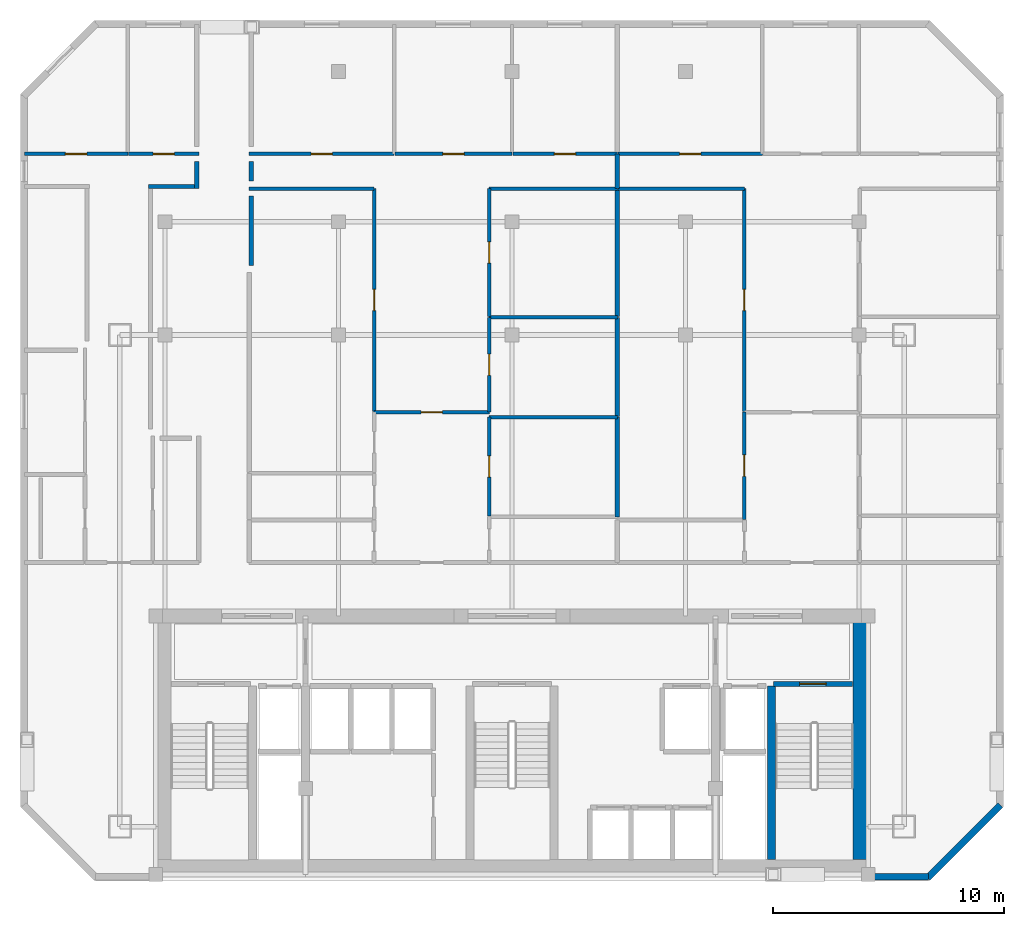
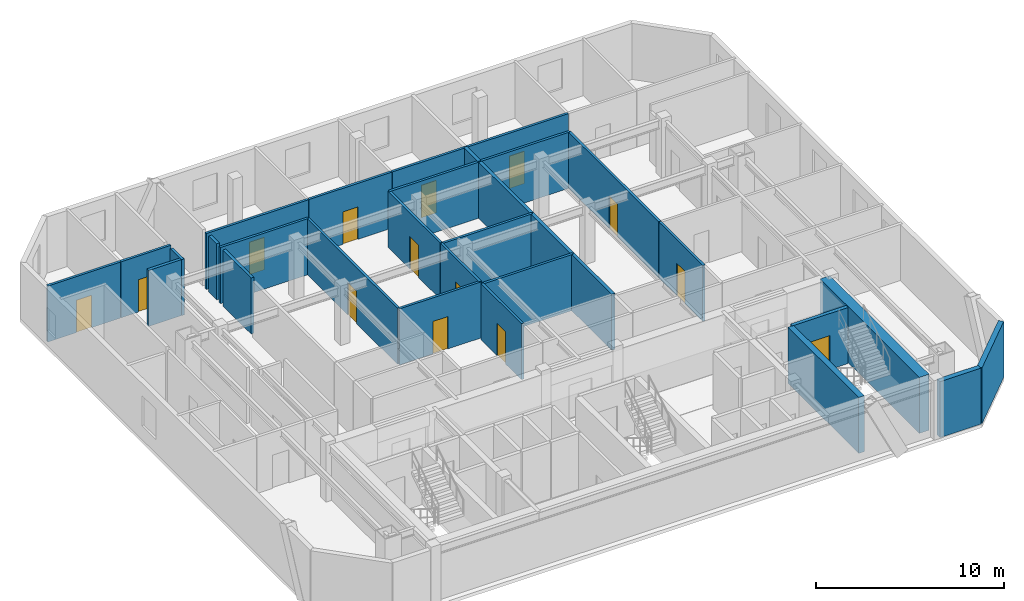
# One storey, part 4 of 7: 31 walls, 14 doors, 14 openings.
"""IFC4 building model written with IfcOpenShell, lengths in metres."""

from ifc_helpers import new_model, si_unit, direction, frame, frame_2d, origin, place, context, subcontext, project, spatial, rectangle, extrude, material, layer, layer_set, type_object, element, fill, save


model = new_model("IFC4")

# Units and contexts
model_context = context("Model", 3, precision=1e-05, world=origin(), true_north=direction((0.0, 1.0)))
body_context = subcontext(model_context, "Body", "Model", "MODEL_VIEW")
ifc_project = project(units=[si_unit("LENGTHUNIT", "METRE"), si_unit("AREAUNIT", "SQUARE_METRE"), si_unit("VOLUMEUNIT", "CUBIC_METRE"), si_unit("PLANEANGLEUNIT", "RADIAN"), si_unit("MASSUNIT", "GRAM", prefix="KILO")], contexts=[model_context])

# Site, building, storey
site_placement = place(None, origin())
site = spatial("IfcSite", under=ifc_project, at=site_placement, CompositionType="ELEMENT")
building_placement = place(site_placement, origin())
building = spatial("IfcBuilding", under=site, at=building_placement, Name="Ventersveld Concourse Tower", CompositionType="ELEMENT")
storey_placement = place(building_placement, frame((0.0, 0.0, 223.39990234375)))
storey = spatial("IfcBuildingStorey", under=building, at=storey_placement, Name="L55", CompositionType="ELEMENT", Elevation=223.39990234375)

# Walls
ifc_material_1 = material(Name="Concrete C50/60", Category="concrete")
ifc_layer_1 = layer(ifc_material_1, 0.35009765625)
ifc_layer_set_1 = layer_set([ifc_layer_1], Name="Concrete C50/60")
wall_type_1 = type_object("IfcWallType", Name="WL-CORE-350U", PredefinedType="SHEAR", material=ifc_layer_set_1)
wall_1_placement = place(storey_placement, frame((39.9599609375, 0.919921875, 0.0), z_axis=(0.0, 0.0, 1.0), x_axis=(0.0, 1.0, 0.0)))
element("IfcWall", 1, at=wall_1_placement, inside=storey, type_object=wall_type_1, Name="L55 Core Internal Shear Web W-ST2-W", PredefinedType="SHEAR", context=body_context, shape_type="SweptSolid", body=[
    extrude(rectangle(XDim=7.5, YDim=0.35009765625, at=frame_2d((3.75, 0.0))), origin(), (0.0, 0.0, 1.0), 3.630126953125),
])
ifc_layer_2 = layer(ifc_material_1, 0.60009765625)
ifc_layer_set_2 = layer_set([ifc_layer_2], Name="Concrete C50/60")
wall_type_2 = type_object("IfcWallType", Name="WL-CORE-600", PredefinedType="SHEAR", material=ifc_layer_set_2)
wall_2_placement = place(storey_placement, frame((43.800048828125, 0.919921875, 0.0), z_axis=(0.0, 0.0, 1.0), x_axis=(0.0, 1.0, 0.0)))
element("IfcWall", 2, at=wall_2_placement, inside=storey, type_object=wall_type_2, Name="L55 Rear Core East Shear Wall", PredefinedType="SHEAR", context=body_context, shape_type="SweptSolid", body=[
    extrude(rectangle(XDim=10.530029296875, YDim=0.60009765625, at=frame_2d((5.26513671875, 0.0))), origin(), (0.0, 0.0, 1.0), 3.630126953125),
])
ifc_material_2 = material(Name="Fire-rated autoclaved aerated masonry blockwork", Category="masonry")
ifc_layer_3 = layer(ifc_material_2, 0.179931640625)
ifc_layer_set_3 = layer_set([ifc_layer_3], Name="Fire-rated autoclaved aerated masonry blockwork")
wall_type_3 = type_object("IfcWallType", Name="WL-CORR-180", PredefinedType="PARTITIONING", material=ifc_layer_set_3)
wall_3_placement = place(storey_placement, frame((15.1201171875, 31.10498046875, 0.0), z_axis=(0.0, 0.0, 1.0), x_axis=(0.0, -1.0, 0.0)))
element("IfcWall", 3, at=wall_3_placement, inside=storey, type_object=wall_type_3, Name="L55 Room Enclosure Wall SP-L55-55NW-LIV", PredefinedType="PARTITIONING", context=body_context, shape_type="SweptSolid", body=[
    extrude(rectangle(XDim=1.179931640625, YDim=0.179931640625, at=frame_2d((0.58984375, 0.0))), origin(), (0.0, 0.0, 1.0), 3.630126953125),
])
wall_4_placement = place(storey_placement, frame((15.215087890625, 30.02001953125, 0.0), z_axis=(0.0, 0.0, 1.0), x_axis=(-1.0, 0.0, 0.0)))
element("IfcWall", 4, at=wall_4_placement, inside=storey, type_object=wall_type_3, Name="L55 Room Enclosure Wall SP-L55-55NW-LIV", PredefinedType="PARTITIONING", context=body_context, shape_type="SweptSolid", body=[
    extrude(rectangle(XDim=2.18994140625, YDim=0.179931640625, at=frame_2d((1.094970703125, 0.0))), origin(), (0.0, 0.0, 1.0), 3.630126953125),
])
wall_5_placement = place(storey_placement, frame((17.47998046875, 30.2548828125, 0.0), z_axis=(0.0, 0.0, 1.0), x_axis=(0.0, 1.0, 0.0)))
element("IfcWall", 5, at=wall_5_placement, inside=storey, type_object=wall_type_3, Name="L55 Room Enclosure Wall SP-L55-55N1-LIV", PredefinedType="PARTITIONING", context=body_context, shape_type="SweptSolid", body=[
    extrude(rectangle(XDim=0.85009765625, YDim=0.179931640625, at=frame_2d((0.425048828125, 0.0))), origin(), (0.0, 0.0, 1.0), 3.630126953125),
])
wall_6_placement = place(storey_placement, frame((17.47998046875, 26.60986328125, 0.0), z_axis=(0.0, 0.0, 1.0), x_axis=(0.0, 1.0, 0.0)))
element("IfcWall", 6, at=wall_6_placement, inside=storey, type_object=wall_type_3, Name="L55 Room Enclosure Wall SP-L55-55N1-DENL", PredefinedType="PARTITIONING", context=body_context, shape_type="SweptSolid", body=[
    extrude(rectangle(XDim=2.9951171875, YDim=0.179931640625, at=frame_2d((1.49755859375, 0.0))), origin(), (0.0, 0.0, 1.0), 3.630126953125),
])
ifc_layer_4 = layer(ifc_material_2, 0.199951171875)
ifc_layer_set_4 = layer_set([ifc_layer_4], Name="Fire-rated autoclaved aerated masonry blockwork")
wall_type_4 = type_object("IfcWallType", Name="WL-DEMISE-200", PredefinedType="PARTITIONING", material=ifc_layer_set_4)
wall_7_placement = place(storey_placement, frame((33.300048828125, 29.925048828125, 0.0), z_axis=(0.0, 0.0, 1.0), x_axis=(0.0, 1.0, 0.0)))
element("IfcWall", 7, at=wall_7_placement, inside=storey, type_object=wall_type_4, Name="L55 Interior Partition SP-L55-55N1-LIV-SP-L55-55N2-LIV", PredefinedType="PARTITIONING", context=body_context, shape_type="SweptSolid", body=[
    extrude(rectangle(XDim=1.510009765625, YDim=0.199951171875, at=frame_2d((0.7548828125, 0.0))), origin(), (0.0, 0.0, 1.0), 3.630126953125),
])
wall_8_placement = place(storey_placement, frame((33.300048828125, 15.7392578125, 0.0), z_axis=(0.0, 0.0, 1.0), x_axis=(0.0, 1.0, 0.0)))
element("IfcWall", 8, at=wall_8_placement, inside=storey, type_object=wall_type_4, Name="L55 Interior Partition SP-L55-55N1-DENR-SP-L55-55N2-DENL", PredefinedType="PARTITIONING", context=body_context, shape_type="SweptSolid", body=[
    extrude(rectangle(XDim=4.319091796875, YDim=0.199951171875, at=frame_2d((2.15966796875, 0.0))), origin(), (0.0, 0.0, 1.0), 3.630126953125),
])
wall_9_placement = place(storey_placement, frame((33.300048828125, 20.08837890625, 0.0), z_axis=(0.0, 0.0, 1.0), x_axis=(0.0, 1.0, 0.0)))
element("IfcWall", 9, at=wall_9_placement, inside=storey, type_object=wall_type_4, Name="L55 Interior Partition SP-L55-55N1-DENS-SP-L55-55N2-DENL", PredefinedType="PARTITIONING", context=body_context, shape_type="SweptSolid", body=[
    extrude(rectangle(XDim=4.27880859375, YDim=0.199951171875, at=frame_2d((2.139404296875, 0.0))), origin(), (0.0, 0.0, 1.0), 3.630126953125),
])
wall_10_placement = place(storey_placement, frame((33.300048828125, 24.397216796875, 0.0), z_axis=(0.0, 0.0, 1.0), x_axis=(0.0, 1.0, 0.0)))
element("IfcWall", 10, at=wall_10_placement, inside=storey, type_object=wall_type_4, Name="L55 Interior Partition SP-L55-55N1-DENS2-SP-L55-55N2-DENL", PredefinedType="PARTITIONING", context=body_context, shape_type="SweptSolid", body=[
    extrude(rectangle(XDim=5.497802734375, YDim=0.199951171875, at=frame_2d((2.7490234375, 0.0))), origin(), (0.0, 0.0, 1.0), 3.630126953125),
])

# Wall, opening, door
ifc_layer_5 = layer(ifc_material_2, 0.219970703125)
ifc_layer_set_5 = layer_set([ifc_layer_5], Name="Fire-rated autoclaved aerated masonry blockwork")
wall_type_5 = type_object("IfcWallType", Name="WL-HOIST-220", PredefinedType="SOLIDWALL", material=ifc_layer_set_5)
wall_11_placement = place(storey_placement, frame((40.06005859375, 8.52001953125, 0.0), z_axis=(0.0, 0.0, 1.0), x_axis=(1.0, 0.0, 0.0)))
wall_11 = element("IfcWall", 11, at=wall_11_placement, inside=storey, type_object=wall_type_5, Name="L55 Escape Stair ST02 Fire Wall", PredefinedType="SOLIDWALL", context=body_context, shape_type="SweptSolid", body=[
    extrude(rectangle(XDim=3.39990234375, YDim=0.219970703125, at=frame_2d((1.699951171875, 0.0))), origin(), (0.0, 0.0, 1.0), 3.630126953125),
])
opening_1_placement = place(wall_11_placement, frame((1.125, 0.0, 0.0)))
opening_1 = element("IfcOpeningElement", 12, at=opening_1_placement, cuts=wall_11, Name="Opening FD1", PredefinedType="OPENING", context=body_context, shape_type="SweptSolid", body=[
    extrude(rectangle(XDim=1.14990234375, YDim=2.199951171875, at=frame_2d((0.574951171875, 1.10009765625))), frame((0.0, 0.1201171875, 0.0), z_axis=(0.0, -1.0, 0.0), x_axis=(1.0, 0.0, 0.0)), (0.0, 0.0, 1.0), 0.239990234375),
])
ifc_material_3 = material(Name="Galvanised painted steel", Category="steel")
door_type_1 = type_object("IfcDoorType", Name="DR-STAIR-115", OperationType="NOTDEFINED", PredefinedType="DOOR", material=ifc_material_3)
door_1_placement = place(opening_1_placement, origin())
door_1 = element("IfcDoor", 13, at=door_1_placement, inside=storey, type_object=door_type_1, Name="L55 Escape Stair Door ST02 (SD-L55-2655)", OperationType="SINGLE_SWING_RIGHT", OverallHeight=2.199951171875, OverallWidth=1.14990234375, PredefinedType="DOOR", context=body_context, shape_type="SweptSolid", body=[
    extrude(rectangle(XDim=1.14990234375, YDim=2.199951171875, at=frame_2d((0.574951171875, 1.10009765625))), frame((0.0, 0.02490234375, 0.0), z_axis=(0.0, -1.0, 0.0), x_axis=(1.0, 0.0, 0.0)), (0.0, 0.0, 1.0), 0.050048828125),
])
fill(opening_1, door_1)

ifc_material_4 = material(Name="Autoclaved aerated masonry blockwork", Category="masonry")
ifc_layer_6 = layer(ifc_material_4, 0.14990234375)
ifc_layer_set_6 = layer_set([ifc_layer_6], Name="Autoclaved aerated masonry blockwork")
wall_type_6 = type_object("IfcWallType", Name="WL-INT-150", PredefinedType="PARTITIONING", material=ifc_layer_set_6)
wall_12_placement = place(storey_placement, frame((7.672607421875, 31.429931640625, 0.0), z_axis=(0.0, 0.0, 1.0), x_axis=(1.0, 0.0, 0.0)))
wall_12 = element("IfcWall", 14, at=wall_12_placement, inside=storey, type_object=wall_type_6, Name="L55 Interior Partition SP-L55-55NW-LIV-SP-L55-55NW-BR1", PredefinedType="PARTITIONING", context=body_context, shape_type="SweptSolid", body=[
    extrude(rectangle(XDim=4.46826171875, YDim=0.14990234375, at=frame_2d((2.234130859375, 0.0))), origin(), (0.0, 0.0, 1.0), 3.630126953125),
])
opening_2_placement = place(wall_12_placement, frame((1.774169921875, 0.0, 0.0)))
opening_2 = element("IfcOpeningElement", 15, at=opening_2_placement, cuts=wall_12, Name="Opening ID1", PredefinedType="OPENING", context=body_context, shape_type="SweptSolid", body=[
    extrude(rectangle(XDim=0.919921875, YDim=2.10009765625, at=frame_2d((0.4599609375, 1.050048828125))), frame((0.0, 0.0849609375, 0.0), z_axis=(0.0, -1.0, 0.0), x_axis=(1.0, 0.0, 0.0)), (0.0, 0.0, 1.0), 0.169921875),
])
ifc_material_5 = material(Name="Solid-core hardwood veneer timber", Category="wood")
door_type_2 = type_object("IfcDoorType", Name="DR-ROOM-092", OperationType="NOTDEFINED", PredefinedType="DOOR", material=ifc_material_5)
door_2_placement = place(opening_2_placement, origin())
door_2 = element("IfcDoor", 16, at=door_2_placement, inside=storey, type_object=door_type_2, Name="L55 Interior Door SP-L55-55NW-LIV to SP-L55-55NW-BR1 (D-L55-2669)", OperationType="SINGLE_SWING_LEFT", OverallHeight=2.10009765625, OverallWidth=0.919921875, PredefinedType="DOOR", context=body_context, shape_type="SweptSolid", body=[
    extrude(rectangle(XDim=0.919921875, YDim=2.10009765625, at=frame_2d((0.4599609375, 1.050048828125))), frame((0.0, 0.02490234375, 0.0), z_axis=(0.0, -1.0, 0.0), x_axis=(1.0, 0.0, 0.0)), (0.0, 0.0, 1.0), 0.050048828125),
])
fill(opening_2, door_2)

wall_13_placement = place(storey_placement, frame((12.1708984375, 31.429931640625, 0.0), z_axis=(0.0, 0.0, 1.0), x_axis=(1.0, 0.0, 0.0)))
wall_13 = element("IfcWall", 17, at=wall_13_placement, inside=storey, type_object=wall_type_6, Name="L55 Interior Partition SP-L55-55NW-LIV-SP-L55-55NW-BR2", PredefinedType="PARTITIONING", context=body_context, shape_type="SweptSolid", body=[
    extrude(rectangle(XDim=3.044189453125, YDim=0.14990234375, at=frame_2d((1.52197265625, 0.0))), origin(), (0.0, 0.0, 1.0), 3.630126953125),
])
opening_3_placement = place(wall_13_placement, frame((1.06201171875, 0.0, 0.0)))
opening_3 = element("IfcOpeningElement", 18, at=opening_3_placement, cuts=wall_13, Name="Opening ID1", PredefinedType="OPENING", context=body_context, shape_type="SweptSolid", body=[
    extrude(rectangle(XDim=0.919921875, YDim=2.10009765625, at=frame_2d((0.4599609375, 1.050048828125))), frame((0.0, 0.0849609375, 0.0), z_axis=(0.0, -1.0, 0.0), x_axis=(1.0, 0.0, 0.0)), (0.0, 0.0, 1.0), 0.169921875),
])
door_3_placement = place(opening_3_placement, origin())
door_3 = element("IfcDoor", 19, at=door_3_placement, inside=storey, type_object=door_type_2, Name="L55 Interior Door SP-L55-55NW-LIV to SP-L55-55NW-BR2 (D-L55-2670)", OperationType="SINGLE_SWING_RIGHT", OverallHeight=2.10009765625, OverallWidth=0.919921875, PredefinedType="DOOR", context=body_context, shape_type="SweptSolid", body=[
    extrude(rectangle(XDim=0.919921875, YDim=2.10009765625, at=frame_2d((0.4599609375, 1.050048828125))), frame((0.0, 0.02490234375, 0.0), z_axis=(0.0, -1.0, 0.0), x_axis=(1.0, 0.0, 0.0)), (0.0, 0.0, 1.0), 0.050048828125),
])
fill(opening_3, door_3)

wall_14_placement = place(storey_placement, frame((22.78466796875, 20.26904296875, 0.0), z_axis=(0.0, 0.0, 1.0), x_axis=(1.0, 0.0, 0.0)))
wall_14 = element("IfcWall", 20, at=wall_14_placement, inside=storey, type_object=wall_type_6, Name="L55 Interior Partition SP-L55-55N1-FOY-SP-L55-55N1-LIV", PredefinedType="PARTITIONING", context=body_context, shape_type="SweptSolid", body=[
    extrude(rectangle(XDim=4.989990234375, YDim=0.14990234375, at=frame_2d((2.4951171875, 0.0))), origin(), (0.0, 0.0, 1.0), 3.630126953125),
])
opening_4_placement = place(wall_14_placement, frame((2.034912109375, 0.0, 0.0)))
opening_4 = element("IfcOpeningElement", 21, at=opening_4_placement, cuts=wall_14, Name="Opening ID1", PredefinedType="OPENING", context=body_context, shape_type="SweptSolid", body=[
    extrude(rectangle(XDim=0.919921875, YDim=2.10009765625, at=frame_2d((0.4599609375, 1.050048828125))), frame((0.0, 0.0849609375, 0.0), z_axis=(0.0, -1.0, 0.0), x_axis=(1.0, 0.0, 0.0)), (0.0, 0.0, 1.0), 0.169921875),
])
door_4_placement = place(opening_4_placement, origin())
door_4 = element("IfcDoor", 22, at=door_4_placement, inside=storey, type_object=door_type_2, Name="L55 Interior Door SP-L55-55N1-FOY to SP-L55-55N1-LIV (D-L55-2671)", OperationType="SINGLE_SWING_LEFT", OverallHeight=2.10009765625, OverallWidth=0.919921875, PredefinedType="DOOR", context=body_context, shape_type="SweptSolid", body=[
    extrude(rectangle(XDim=0.919921875, YDim=2.10009765625, at=frame_2d((0.4599609375, 1.050048828125))), frame((0.0, 0.02490234375, 0.0), z_axis=(0.0, -1.0, 0.0), x_axis=(1.0, 0.0, 0.0)), (0.0, 0.0, 1.0), 0.050048828125),
])
fill(opening_4, door_4)

wall_15_placement = place(storey_placement, frame((27.76953125, 15.779296875, 0.0), z_axis=(0.0, 0.0, 1.0), x_axis=(0.0, 1.0, 0.0)))
wall_15 = element("IfcWall", 23, at=wall_15_placement, inside=storey, type_object=wall_type_6, Name="L55 Interior Partition SP-L55-55N1-FOY-SP-L55-55N1-DENR", PredefinedType="PARTITIONING", context=body_context, shape_type="SweptSolid", body=[
    extrude(rectangle(XDim=4.279052734375, YDim=0.14990234375, at=frame_2d((2.1396484375, 0.0))), origin(), (0.0, 0.0, 1.0), 3.630126953125),
])
opening_5_placement = place(wall_15_placement, frame((1.679443359375, 0.0, 0.0)))
opening_5 = element("IfcOpeningElement", 24, at=opening_5_placement, cuts=wall_15, Name="Opening ID1", PredefinedType="OPENING", context=body_context, shape_type="SweptSolid", body=[
    extrude(rectangle(XDim=0.919921875, YDim=2.10009765625, at=frame_2d((0.4599609375, 1.050048828125))), frame((0.0, 0.0849609375, 0.0), z_axis=(0.0, -1.0, 0.0), x_axis=(1.0, 0.0, 0.0)), (0.0, 0.0, 1.0), 0.169921875),
])
door_5_placement = place(opening_5_placement, origin())
door_5 = element("IfcDoor", 25, at=door_5_placement, inside=storey, type_object=door_type_2, Name="L55 Interior Door SP-L55-55N1-FOY to SP-L55-55N1-DENR (D-L55-2676)", OperationType="SINGLE_SWING_RIGHT", OverallHeight=2.10009765625, OverallWidth=0.919921875, PredefinedType="DOOR", context=body_context, shape_type="SweptSolid", body=[
    extrude(rectangle(XDim=0.919921875, YDim=2.10009765625, at=frame_2d((0.4599609375, 1.050048828125))), frame((0.0, 0.02490234375, 0.0), z_axis=(0.0, -1.0, 0.0), x_axis=(1.0, 0.0, 0.0)), (0.0, 0.0, 1.0), 0.050048828125),
])
fill(opening_5, door_5)

wall_16_placement = place(storey_placement, frame((22.78955078125, 20.30419921875, 0.0), z_axis=(0.0, 0.0, 1.0), x_axis=(0.0, 1.0, 0.0)))
wall_16 = element("IfcWall", 26, at=wall_16_placement, inside=storey, type_object=wall_type_6, Name="L55 Interior Partition SP-L55-55N1-LIV-SP-L55-55N1-DENL", PredefinedType="PARTITIONING", context=body_context, shape_type="SweptSolid", body=[
    extrude(rectangle(XDim=9.630859375, YDim=0.14990234375, at=frame_2d((4.8154296875, 0.0))), origin(), (0.0, 0.0, 1.0), 3.630126953125),
])
opening_6_placement = place(wall_16_placement, frame((4.35546875, 0.0, 0.0)))
opening_6 = element("IfcOpeningElement", 27, at=opening_6_placement, cuts=wall_16, Name="Opening ID1", PredefinedType="OPENING", context=body_context, shape_type="SweptSolid", body=[
    extrude(rectangle(XDim=0.919921875, YDim=2.10009765625, at=frame_2d((0.4599609375, 1.050048828125))), frame((0.0, 0.0849609375, 0.0), z_axis=(0.0, -1.0, 0.0), x_axis=(1.0, 0.0, 0.0)), (0.0, 0.0, 1.0), 0.169921875),
])
door_6_placement = place(opening_6_placement, origin())
door_6 = element("IfcDoor", 28, at=door_6_placement, inside=storey, type_object=door_type_2, Name="L55 Interior Door SP-L55-55N1-LIV to SP-L55-55N1-DENL (D-L55-2677)", OperationType="SINGLE_SWING_LEFT", OverallHeight=2.10009765625, OverallWidth=0.919921875, PredefinedType="DOOR", context=body_context, shape_type="SweptSolid", body=[
    extrude(rectangle(XDim=0.919921875, YDim=2.10009765625, at=frame_2d((0.4599609375, 1.050048828125))), frame((0.0, 0.02490234375, 0.0), z_axis=(0.0, -1.0, 0.0), x_axis=(1.0, 0.0, 0.0)), (0.0, 0.0, 1.0), 0.050048828125),
])
fill(opening_6, door_6)

# Wall
wall_17_placement = place(storey_placement, frame((17.385009765625, 29.929931640625, 0.0), z_axis=(0.0, 0.0, 1.0), x_axis=(1.0, 0.0, 0.0)))
element("IfcWall", 29, at=wall_17_placement, inside=storey, type_object=wall_type_6, Name="L55 Interior Partition SP-L55-55N1-LIV-SP-L55-55N1-DENL", PredefinedType="PARTITIONING", context=body_context, shape_type="SweptSolid", body=[
    extrude(rectangle(XDim=5.40966796875, YDim=0.14990234375, at=frame_2d((2.704833984375, 0.0))), origin(), (0.0, 0.0, 1.0), 3.630126953125),
])

# Wall, opening, door
wall_18_placement = place(storey_placement, frame((27.76953125, 20.26416015625, 0.0), z_axis=(0.0, 0.0, 1.0), x_axis=(0.0, 1.0, 0.0)))
wall_18 = element("IfcWall", 30, at=wall_18_placement, inside=storey, type_object=wall_type_6, Name="L55 Interior Partition SP-L55-55N1-LIV-SP-L55-55N1-DENS", PredefinedType="PARTITIONING", context=body_context, shape_type="SweptSolid", body=[
    extrude(rectangle(XDim=4.10302734375, YDim=0.14990234375, at=frame_2d((2.051513671875, 0.0))), origin(), (0.0, 0.0, 1.0), 3.630126953125),
])
opening_7_placement = place(wall_18_placement, frame((1.591552734375, 0.0, 0.0)))
opening_7 = element("IfcOpeningElement", 31, at=opening_7_placement, cuts=wall_18, Name="Opening ID1", PredefinedType="OPENING", context=body_context, shape_type="SweptSolid", body=[
    extrude(rectangle(XDim=0.919921875, YDim=2.10009765625, at=frame_2d((0.4599609375, 1.050048828125))), frame((0.0, 0.0849609375, 0.0), z_axis=(0.0, -1.0, 0.0), x_axis=(1.0, 0.0, 0.0)), (0.0, 0.0, 1.0), 0.169921875),
])
door_7_placement = place(opening_7_placement, origin())
door_7 = element("IfcDoor", 32, at=door_7_placement, inside=storey, type_object=door_type_2, Name="L55 Interior Door SP-L55-55N1-LIV to SP-L55-55N1-DENS (D-L55-2678)", OperationType="SINGLE_SWING_RIGHT", OverallHeight=2.10009765625, OverallWidth=0.919921875, PredefinedType="DOOR", context=body_context, shape_type="SweptSolid", body=[
    extrude(rectangle(XDim=0.919921875, YDim=2.10009765625, at=frame_2d((0.4599609375, 1.050048828125))), frame((0.0, 0.02490234375, 0.0), z_axis=(0.0, -1.0, 0.0), x_axis=(1.0, 0.0, 0.0)), (0.0, 0.0, 1.0), 0.050048828125),
])
fill(opening_7, door_7)

wall_19_placement = place(storey_placement, frame((27.76953125, 24.397216796875, 0.0), z_axis=(0.0, 0.0, 1.0), x_axis=(0.0, 1.0, 0.0)))
wall_19 = element("IfcWall", 33, at=wall_19_placement, inside=storey, type_object=wall_type_6, Name="L55 Interior Partition SP-L55-55N1-LIV-SP-L55-55N1-DENS2", PredefinedType="PARTITIONING", context=body_context, shape_type="SweptSolid", body=[
    extrude(rectangle(XDim=5.537841796875, YDim=0.14990234375, at=frame_2d((2.76904296875, 0.0))), origin(), (0.0, 0.0, 1.0), 3.630126953125),
])
opening_8_placement = place(wall_19_placement, frame((2.308837890625, 0.0, 0.0)))
opening_8 = element("IfcOpeningElement", 34, at=opening_8_placement, cuts=wall_19, Name="Opening ID1", PredefinedType="OPENING", context=body_context, shape_type="SweptSolid", body=[
    extrude(rectangle(XDim=0.919921875, YDim=2.10009765625, at=frame_2d((0.4599609375, 1.050048828125))), frame((0.0, 0.0849609375, 0.0), z_axis=(0.0, -1.0, 0.0), x_axis=(1.0, 0.0, 0.0)), (0.0, 0.0, 1.0), 0.169921875),
])
door_8_placement = place(opening_8_placement, origin())
door_8 = element("IfcDoor", 35, at=door_8_placement, inside=storey, type_object=door_type_2, Name="L55 Interior Door SP-L55-55N1-LIV to SP-L55-55N1-DENS2 (D-L55-2679)", OperationType="SINGLE_SWING_LEFT", OverallHeight=2.10009765625, OverallWidth=0.919921875, PredefinedType="DOOR", context=body_context, shape_type="SweptSolid", body=[
    extrude(rectangle(XDim=0.919921875, YDim=2.10009765625, at=frame_2d((0.4599609375, 1.050048828125))), frame((0.0, 0.02490234375, 0.0), z_axis=(0.0, -1.0, 0.0), x_axis=(1.0, 0.0, 0.0)), (0.0, 0.0, 1.0), 0.050048828125),
])
fill(opening_8, door_8)

# Wall
wall_20_placement = place(storey_placement, frame((27.7646484375, 29.929931640625, 0.0), z_axis=(0.0, 0.0, 1.0), x_axis=(1.0, 0.0, 0.0)))
element("IfcWall", 36, at=wall_20_placement, inside=storey, type_object=wall_type_6, Name="L55 Interior Partition SP-L55-55N1-LIV-SP-L55-55N1-DENS2", PredefinedType="PARTITIONING", context=body_context, shape_type="SweptSolid", body=[
    extrude(rectangle(XDim=5.540283203125, YDim=0.14990234375, at=frame_2d((2.77001953125, 0.0))), origin(), (0.0, 0.0, 1.0), 3.630126953125),
])

# Wall, opening, door
wall_21_placement = place(storey_placement, frame((17.385009765625, 31.429931640625, 0.0), z_axis=(0.0, 0.0, 1.0), x_axis=(1.0, 0.0, 0.0)))
wall_21 = element("IfcWall", 37, at=wall_21_placement, inside=storey, type_object=wall_type_6, Name="L55 Interior Partition SP-L55-55N1-LIV-SP-L55-55N1-BR1", PredefinedType="PARTITIONING", context=body_context, shape_type="SweptSolid", body=[
    extrude(rectangle(XDim=6.27392578125, YDim=0.14990234375, at=frame_2d((3.136962890625, 0.0))), origin(), (0.0, 0.0, 1.0), 3.630126953125),
])
opening_9_placement = place(wall_21_placement, frame((2.677001953125, 0.0, 0.0)))
opening_9 = element("IfcOpeningElement", 38, at=opening_9_placement, cuts=wall_21, Name="Opening ID1", PredefinedType="OPENING", context=body_context, shape_type="SweptSolid", body=[
    extrude(rectangle(XDim=0.919921875, YDim=2.10009765625, at=frame_2d((0.4599609375, 1.050048828125))), frame((0.0, 0.0849609375, 0.0), z_axis=(0.0, -1.0, 0.0), x_axis=(1.0, 0.0, 0.0)), (0.0, 0.0, 1.0), 0.169921875),
])
door_9_placement = place(opening_9_placement, origin())
door_9 = element("IfcDoor", 39, at=door_9_placement, inside=storey, type_object=door_type_2, Name="L55 Interior Door SP-L55-55N1-LIV to SP-L55-55N1-BR1 (D-L55-2680)", OperationType="SINGLE_SWING_RIGHT", OverallHeight=2.10009765625, OverallWidth=0.919921875, PredefinedType="DOOR", context=body_context, shape_type="SweptSolid", body=[
    extrude(rectangle(XDim=0.919921875, YDim=2.10009765625, at=frame_2d((0.4599609375, 1.050048828125))), frame((0.0, 0.02490234375, 0.0), z_axis=(0.0, -1.0, 0.0), x_axis=(1.0, 0.0, 0.0)), (0.0, 0.0, 1.0), 0.050048828125),
])
fill(opening_9, door_9)

wall_22_placement = place(storey_placement, frame((23.68896484375, 31.429931640625, 0.0), z_axis=(0.0, 0.0, 1.0), x_axis=(1.0, 0.0, 0.0)))
wall_22 = element("IfcWall", 40, at=wall_22_placement, inside=storey, type_object=wall_type_6, Name="L55 Interior Partition SP-L55-55N1-LIV-SP-L55-55N1-BR2", PredefinedType="PARTITIONING", context=body_context, shape_type="SweptSolid", body=[
    extrude(rectangle(XDim=5.06591796875, YDim=0.14990234375, at=frame_2d((2.532958984375, 0.0))), origin(), (0.0, 0.0, 1.0), 3.630126953125),
])
opening_10_placement = place(wall_22_placement, frame((2.072998046875, 0.0, 0.0)))
opening_10 = element("IfcOpeningElement", 41, at=opening_10_placement, cuts=wall_22, Name="Opening ID1", PredefinedType="OPENING", context=body_context, shape_type="SweptSolid", body=[
    extrude(rectangle(XDim=0.919921875, YDim=2.10009765625, at=frame_2d((0.4599609375, 1.050048828125))), frame((0.0, 0.0849609375, 0.0), z_axis=(0.0, -1.0, 0.0), x_axis=(1.0, 0.0, 0.0)), (0.0, 0.0, 1.0), 0.169921875),
])
door_10_placement = place(opening_10_placement, origin())
door_10 = element("IfcDoor", 42, at=door_10_placement, inside=storey, type_object=door_type_2, Name="L55 Interior Door SP-L55-55N1-LIV to SP-L55-55N1-BR2 (D-L55-2681)", OperationType="SINGLE_SWING_LEFT", OverallHeight=2.10009765625, OverallWidth=0.919921875, PredefinedType="DOOR", context=body_context, shape_type="SweptSolid", body=[
    extrude(rectangle(XDim=0.919921875, YDim=2.10009765625, at=frame_2d((0.4599609375, 1.050048828125))), frame((0.0, 0.02490234375, 0.0), z_axis=(0.0, -1.0, 0.0), x_axis=(1.0, 0.0, 0.0)), (0.0, 0.0, 1.0), 0.050048828125),
])
fill(opening_10, door_10)

wall_23_placement = place(storey_placement, frame((28.784912109375, 31.429931640625, 0.0), z_axis=(0.0, 0.0, 1.0), x_axis=(1.0, 0.0, 0.0)))
wall_23 = element("IfcWall", 43, at=wall_23_placement, inside=storey, type_object=wall_type_6, Name="L55 Interior Partition SP-L55-55N1-LIV-SP-L55-55N1-BR3", PredefinedType="PARTITIONING", context=body_context, shape_type="SweptSolid", body=[
    extrude(rectangle(XDim=4.52001953125, YDim=0.14990234375, at=frame_2d((2.260009765625, 0.0))), origin(), (0.0, 0.0, 1.0), 3.630126953125),
])
opening_11_placement = place(wall_23_placement, frame((1.800048828125, 0.0, 0.0)))
opening_11 = element("IfcOpeningElement", 44, at=opening_11_placement, cuts=wall_23, Name="Opening ID1", PredefinedType="OPENING", context=body_context, shape_type="SweptSolid", body=[
    extrude(rectangle(XDim=0.919921875, YDim=2.10009765625, at=frame_2d((0.4599609375, 1.050048828125))), frame((0.0, 0.0849609375, 0.0), z_axis=(0.0, -1.0, 0.0), x_axis=(1.0, 0.0, 0.0)), (0.0, 0.0, 1.0), 0.169921875),
])
door_11_placement = place(opening_11_placement, origin())
door_11 = element("IfcDoor", 45, at=door_11_placement, inside=storey, type_object=door_type_2, Name="L55 Interior Door SP-L55-55N1-LIV to SP-L55-55N1-BR3 (D-L55-2682)", OperationType="SINGLE_SWING_RIGHT", OverallHeight=2.10009765625, OverallWidth=0.919921875, PredefinedType="DOOR", context=body_context, shape_type="SweptSolid", body=[
    extrude(rectangle(XDim=0.919921875, YDim=2.10009765625, at=frame_2d((0.4599609375, 1.050048828125))), frame((0.0, 0.02490234375, 0.0), z_axis=(0.0, -1.0, 0.0), x_axis=(1.0, 0.0, 0.0)), (0.0, 0.0, 1.0), 0.050048828125),
])
fill(opening_11, door_11)

# Walls
for number, where, z_axis, x_axis, name in (
    (46, (27.7646484375, 20.05322265625, 0.0), (0.0, 0.0, 1.0), (1.0, 0.0, 0.0), "L55 Interior Partition SP-L55-55N1-DENR-SP-L55-55N1-DENS"),
    (47, (27.7646484375, 24.3623046875, 0.0), (0.0, 0.0, 1.0), (1.0, 0.0, 0.0), "L55 Interior Partition SP-L55-55N1-DENS-SP-L55-55N1-DENS2"),
):
    element("IfcWall", number, at=place(storey_placement, frame(where, z_axis=z_axis, x_axis=x_axis)), inside=storey, type_object=wall_type_6, Name=name, PredefinedType="PARTITIONING", context=body_context, shape_type="SweptSolid", body=[
        extrude(rectangle(XDim=5.540283203125, YDim=0.14990234375, at=frame_2d((2.77001953125, 0.0))), origin(), (0.0, 0.0, 1.0), 3.630126953125),
    ])

# Wall, opening, door
wall_24_placement = place(storey_placement, frame((38.797607421875, 15.635009765625, 0.0), z_axis=(0.0, 0.0, 1.0), x_axis=(0.0, 1.0, 0.0)))
wall_24 = element("IfcWall", 48, at=wall_24_placement, inside=storey, type_object=wall_type_6, Name="L55 Interior Partition SP-L55-55N2-FOY-SP-L55-55N2-DENL", PredefinedType="PARTITIONING", context=body_context, shape_type="SweptSolid", body=[
    extrude(rectangle(XDim=4.63916015625, YDim=0.14990234375, at=frame_2d((2.319580078125, 0.0))), origin(), (0.0, 0.0, 1.0), 3.630126953125),
])
opening_12_placement = place(wall_24_placement, frame((1.859619140625, 0.0, 0.0)))
opening_12 = element("IfcOpeningElement", 49, at=opening_12_placement, cuts=wall_24, Name="Opening ID1", PredefinedType="OPENING", context=body_context, shape_type="SweptSolid", body=[
    extrude(rectangle(XDim=0.919921875, YDim=2.10009765625, at=frame_2d((0.4599609375, 1.050048828125))), frame((0.0, 0.0849609375, 0.0), z_axis=(0.0, -1.0, 0.0), x_axis=(1.0, 0.0, 0.0)), (0.0, 0.0, 1.0), 0.169921875),
])
door_12_placement = place(opening_12_placement, origin())
door_12 = element("IfcDoor", 50, at=door_12_placement, inside=storey, type_object=door_type_2, Name="L55 Interior Door SP-L55-55N2-FOY to SP-L55-55N2-DENL (D-L55-2685)", OperationType="SINGLE_SWING_LEFT", OverallHeight=2.10009765625, OverallWidth=0.919921875, PredefinedType="DOOR", context=body_context, shape_type="SweptSolid", body=[
    extrude(rectangle(XDim=0.919921875, YDim=2.10009765625, at=frame_2d((0.4599609375, 1.050048828125))), frame((0.0, 0.02490234375, 0.0), z_axis=(0.0, -1.0, 0.0), x_axis=(1.0, 0.0, 0.0)), (0.0, 0.0, 1.0), 0.050048828125),
])
fill(opening_12, door_12)

wall_25_placement = place(storey_placement, frame((38.797607421875, 20.30419921875, 0.0), z_axis=(0.0, 0.0, 1.0), x_axis=(0.0, 1.0, 0.0)))
wall_25 = element("IfcWall", 51, at=wall_25_placement, inside=storey, type_object=wall_type_6, Name="L55 Interior Partition SP-L55-55N2-LIV-SP-L55-55N2-DENL", PredefinedType="PARTITIONING", context=body_context, shape_type="SweptSolid", body=[
    extrude(rectangle(XDim=9.630859375, YDim=0.14990234375, at=frame_2d((4.8154296875, 0.0))), origin(), (0.0, 0.0, 1.0), 3.630126953125),
])
opening_13_placement = place(wall_25_placement, frame((4.35546875, 0.0, 0.0)))
opening_13 = element("IfcOpeningElement", 52, at=opening_13_placement, cuts=wall_25, Name="Opening ID1", PredefinedType="OPENING", context=body_context, shape_type="SweptSolid", body=[
    extrude(rectangle(XDim=0.919921875, YDim=2.10009765625, at=frame_2d((0.4599609375, 1.050048828125))), frame((0.0, 0.0849609375, 0.0), z_axis=(0.0, -1.0, 0.0), x_axis=(1.0, 0.0, 0.0)), (0.0, 0.0, 1.0), 0.169921875),
])
door_13_placement = place(opening_13_placement, origin())
door_13 = element("IfcDoor", 53, at=door_13_placement, inside=storey, type_object=door_type_2, Name="L55 Interior Door SP-L55-55N2-LIV to SP-L55-55N2-DENL (D-L55-2688)", OperationType="SINGLE_SWING_RIGHT", OverallHeight=2.10009765625, OverallWidth=0.919921875, PredefinedType="DOOR", context=body_context, shape_type="SweptSolid", body=[
    extrude(rectangle(XDim=0.919921875, YDim=2.10009765625, at=frame_2d((0.4599609375, 1.050048828125))), frame((0.0, 0.02490234375, 0.0), z_axis=(0.0, -1.0, 0.0), x_axis=(1.0, 0.0, 0.0)), (0.0, 0.0, 1.0), 0.050048828125),
])
fill(opening_13, door_13)

# Wall
wall_26_placement = place(storey_placement, frame((33.3349609375, 29.929931640625, 0.0), z_axis=(0.0, 0.0, 1.0), x_axis=(1.0, 0.0, 0.0)))
element("IfcWall", 54, at=wall_26_placement, inside=storey, type_object=wall_type_6, Name="L55 Interior Partition SP-L55-55N2-LIV-SP-L55-55N2-DENL", PredefinedType="PARTITIONING", context=body_context, shape_type="SweptSolid", body=[
    extrude(rectangle(XDim=5.4677734375, YDim=0.14990234375, at=frame_2d((2.73388671875, 0.0))), origin(), (0.0, 0.0, 1.0), 3.630126953125),
])

# Wall, opening, door
wall_27_placement = place(storey_placement, frame((33.3349609375, 31.429931640625, 0.0), z_axis=(0.0, 0.0, 1.0), x_axis=(1.0, 0.0, 0.0)))
wall_27 = element("IfcWall", 55, at=wall_27_placement, inside=storey, type_object=wall_type_6, Name="L55 Interior Partition SP-L55-55N2-LIV-SP-L55-55N2-BR1", PredefinedType="PARTITIONING", context=body_context, shape_type="SweptSolid", body=[
    extrude(rectangle(XDim=6.234130859375, YDim=0.14990234375, at=frame_2d((3.1171875, 0.0))), origin(), (0.0, 0.0, 1.0), 3.630126953125),
])
opening_14_placement = place(wall_27_placement, frame((2.656982421875, 0.0, 0.0)))
opening_14 = element("IfcOpeningElement", 56, at=opening_14_placement, cuts=wall_27, Name="Opening ID1", PredefinedType="OPENING", context=body_context, shape_type="SweptSolid", body=[
    extrude(rectangle(XDim=0.919921875, YDim=2.10009765625, at=frame_2d((0.4599609375, 1.050048828125))), frame((0.0, 0.0849609375, 0.0), z_axis=(0.0, -1.0, 0.0), x_axis=(1.0, 0.0, 0.0)), (0.0, 0.0, 1.0), 0.169921875),
])
door_14_placement = place(opening_14_placement, origin())
door_14 = element("IfcDoor", 57, at=door_14_placement, inside=storey, type_object=door_type_2, Name="L55 Interior Door SP-L55-55N2-LIV to SP-L55-55N2-BR1 (D-L55-2691)", OperationType="SINGLE_SWING_LEFT", OverallHeight=2.10009765625, OverallWidth=0.919921875, PredefinedType="DOOR", context=body_context, shape_type="SweptSolid", body=[
    extrude(rectangle(XDim=0.919921875, YDim=2.10009765625, at=frame_2d((0.4599609375, 1.050048828125))), frame((0.0, 0.02490234375, 0.0), z_axis=(0.0, -1.0, 0.0), x_axis=(1.0, 0.0, 0.0)), (0.0, 0.0, 1.0), 0.050048828125),
])
fill(opening_14, door_14)

# Walls
ifc_material_6 = material(Name="Precast concrete C45/55", Category="concrete")
ifc_layer_7 = layer(ifc_material_6, 0.300048828125)
ifc_layer_set_7 = layer_set([ifc_layer_7], Name="Precast concrete C45/55")
wall_type_7 = type_object("IfcWallType", Name="WL-PREC-300", PredefinedType="SOLIDWALL", material=ifc_layer_set_7)
wall_28_placement = place(storey_placement, frame((44.25, 0.179931640625, 0.0), z_axis=(0.0, 0.0, 1.0), x_axis=(1.0, 0.0, 0.0)))
element("IfcWall", 58, at=wall_28_placement, inside=storey, type_object=wall_type_7, Name="L55 South-East Flank Precast Wall", PredefinedType="SOLIDWALL", context=body_context, shape_type="SweptSolid", body=[
    extrude(rectangle(XDim=2.510009765625, YDim=0.300048828125, at=frame_2d((1.2548828125, 0.0))), origin(), (0.0, 0.0, 1.0), 3.630126953125),
])
wall_29_placement = place(storey_placement, frame((46.72216796875, 0.134521484375, 0.0), z_axis=(0.0, 0.0, 1.0), x_axis=(0.707106781187, 0.707106781187, 0.0)))
element("IfcWall", 59, at=wall_29_placement, inside=storey, type_object=wall_type_7, Name="L55 Highveld Precast Facade Wall E02", PredefinedType="SOLIDWALL", context=body_context, shape_type="SweptSolid", body=[
    extrude(rectangle(XDim=4.4453125, YDim=0.300048828125, at=frame_2d((2.22265625, 0.0))), origin(), (0.0, 0.0, 1.0), 3.630126953125),
])

save(model, "model.ifc")
